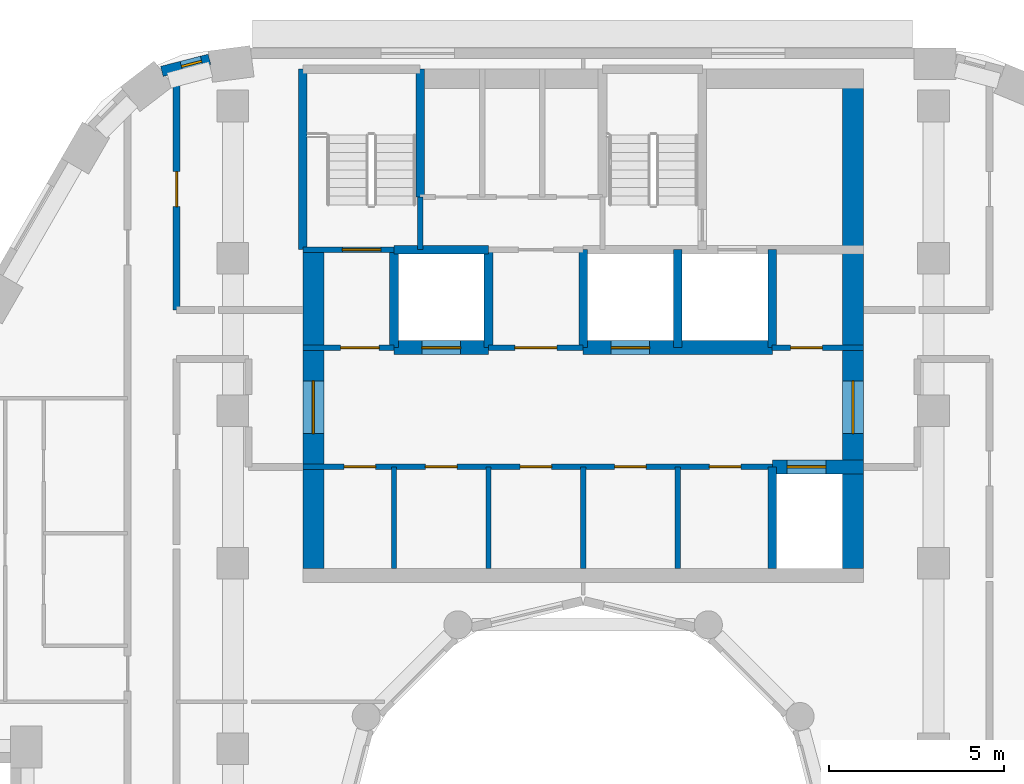
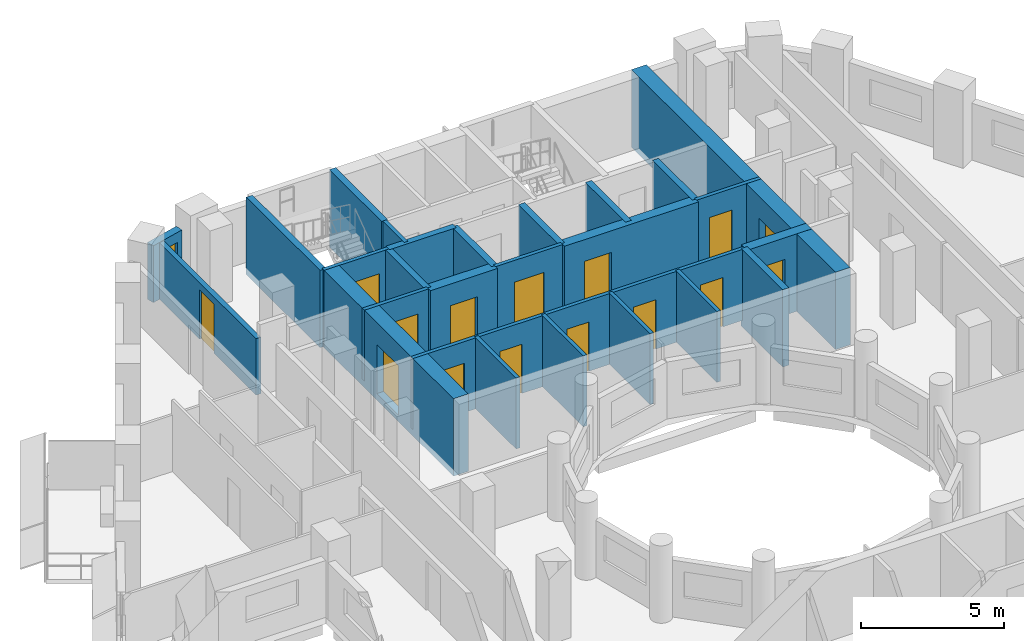
# One storey, part 8 of 17: 26 walls, 15 doors, 1 window, 16 openings.
"""IFC4 building model written with IfcOpenShell, lengths in metres."""

from ifc_helpers import new_model, si_unit, direction, frame, frame_2d, origin, place, context, subcontext, project, spatial, rectangle, extrude, material, layer, layer_set, type_object, element, fill, save


model = new_model("IFC4")

# Units and contexts
model_context = context("Model", 3, precision=1e-05, world=origin(), true_north=direction((0.0, 1.0)))
body_context = subcontext(model_context, "Body", "Model", "MODEL_VIEW")
ifc_project = project(units=[si_unit("LENGTHUNIT", "METRE"), si_unit("AREAUNIT", "SQUARE_METRE"), si_unit("VOLUMEUNIT", "CUBIC_METRE"), si_unit("PLANEANGLEUNIT", "RADIAN"), si_unit("MASSUNIT", "GRAM", prefix="KILO")], contexts=[model_context])

# Site, building, storey
site_placement = place(None, origin())
site = spatial("IfcSite", under=ifc_project, at=site_placement, CompositionType="ELEMENT")
building_placement = place(site_placement, origin())
building = spatial("IfcBuilding", under=site, at=building_placement, Name="Nakaniwa Court", CompositionType="ELEMENT")
storey_placement = place(building_placement, frame((0.0, 0.0, 203.10009765625)))
storey = spatial("IfcBuildingStorey", under=building, at=storey_placement, Name="L53", CompositionType="ELEMENT", Elevation=203.10009765625)

# Wall, opening, door
ifc_material_1 = material(Name="Acoustic double stud partition")
ifc_layer_1 = layer(ifc_material_1, 0.199951171875)
ifc_layer_set_1 = layer_set([ifc_layer_1], Name="Acoustic double stud partition")
wall_type_1 = type_object("IfcWallType", Name="Acoustic double stud partition 200", PredefinedType="PARTITIONING", material=ifc_layer_set_1)
wall_1_placement = place(storey_placement, frame((68.39990234375, 102.07373046875, 0.0), z_axis=(0.0, 0.0, 1.0), x_axis=(0.0, -1.0, 0.0)))
wall_1 = element("IfcWall", 1, at=wall_1_placement, inside=storey, type_object=wall_type_1, Name="Partition PW-106", PredefinedType="PARTITIONING", context=body_context, shape_type="SweptSolid", body=[
    extrude(rectangle(XDim=6.898681640625, YDim=0.199951171875, at=frame_2d((3.44921875, 0.0))), origin(), (0.0, 0.0, 1.0), 2.40478515625),
])
opening_1_placement = place(wall_1_placement, frame((2.948974609375, 0.0, 0.0)))
opening_1 = element("IfcOpeningElement", 2, at=opening_1_placement, cuts=wall_1, Name="Opening D-02-07", PredefinedType="OPENING", context=body_context, shape_type="SweptSolid", body=[
    extrude(rectangle(XDim=1.0, YDim=2.10009765625, at=frame_2d((0.5, 1.050048828125))), frame((0.0, 0.10986328125, 0.0), z_axis=(0.0, -1.0, 0.0), x_axis=(1.0, 0.0, 0.0)), (0.0, 0.0, 1.0), 0.219970703125),
])
ifc_material_2 = material(Name="Solid core timber door set, black veneer", Category="wood")
door_type_1 = type_object("IfcDoorType", Name="Internal door 1000", OperationType="NOTDEFINED", PredefinedType="DOOR", material=ifc_material_2)
door_1_placement = place(opening_1_placement, origin())
door_1 = element("IfcDoor", 3, at=door_1_placement, inside=storey, type_object=door_type_1, Name="Door D-02-07 L53-056", OperationType="SINGLE_SWING_LEFT", OverallHeight=2.10009765625, OverallWidth=1.0, PredefinedType="DOOR", context=body_context, shape_type="SweptSolid", body=[
    extrude(rectangle(XDim=1.0, YDim=2.10009765625, at=frame_2d((0.5, 1.050048828125))), frame((0.0, 0.02490234375, 0.0), z_axis=(0.0, -1.0, 0.0), x_axis=(1.0, 0.0, 0.0)), (0.0, 0.0, 1.0), 0.050048828125),
])
fill(opening_1, door_1)

# Wall, opening, window
ifc_material_3 = material(Name="Charcoal ceramic cladding")
ifc_layer_2 = layer(ifc_material_3, 0.02, Name="Ceramic cladding")
ifc_material_4 = material(Name="Ventilated air cavity")
ifc_layer_3 = layer(ifc_material_4, 0.04, ventilated=True, Name="Ventilated cavity")
ifc_material_5 = material(Name="Mineral wool insulation")
ifc_layer_4 = layer(ifc_material_5, 0.1, Name="Insulation")
ifc_material_6 = material(Name="Cement bonded sheathing board")
ifc_layer_5 = layer(ifc_material_6, 0.012, Name="Sheathing")
ifc_material_7 = material(Name="Cold-formed galvanised stud frame with mineral wool infill")
ifc_layer_6 = layer(ifc_material_7, 0.1, Name="Stud frame")
ifc_material_8 = material(Name="Fire-rated gypsum plasterboard lining")
ifc_layer_7 = layer(ifc_material_8, 0.028, Name="Lining")
ifc_layer_set_2 = layer_set([ifc_layer_2, ifc_layer_3, ifc_layer_4, ifc_layer_5, ifc_layer_6, ifc_layer_7], Name="Charcoal ceramic faced external wall system")
wall_type_2 = type_object("IfcWallType", Name="Black ceramic faced external wall 300", PredefinedType="SOLIDWALL", material=ifc_layer_set_2)
wall_2_placement = place(storey_placement, frame((69.3359375, 102.333251953125, 0.0), z_axis=(0.0, 0.0, 1.0), x_axis=(-0.969037396898, -0.246914000036, 0.0)))
wall_2 = element("IfcWall", 4, at=wall_2_placement, inside=storey, type_object=wall_type_2, Name="L53 external wall 09", PredefinedType="SOLIDWALL", context=body_context, shape_type="SweptSolid", body=[
    extrude(rectangle(XDim=1.403076171875, YDim=0.300048828125, at=frame_2d((0.70166015625, 0.0))), origin(), (0.0, 0.0, 1.0), 2.4248046875),
])
opening_2_placement = place(wall_2_placement, frame((0.22900390625, 0.0, 0.89990234375)))
opening_2 = element("IfcOpeningElement", 5, at=opening_2_placement, cuts=wall_2, Name="Opening W8.11", PredefinedType="OPENING", context=body_context, shape_type="SweptSolid", body=[
    extrude(rectangle(XDim=0.60009765625, YDim=1.10009765625, at=frame_2d((0.300048828125, 0.550048828125))), frame((0.0, 0.159912109375, 0.0), z_axis=(0.0, -1.0, 0.0), x_axis=(1.0, 0.0, 0.0)), (0.0, 0.0, 1.0), 0.320068359375),
])
ifc_material_9 = material(Name="Black anodised aluminium frame with dark low-E laminated double glazing", Category="aluminium")
window_type = type_object("IfcWindowType", Name="Dark glass window 600x1100 sill 900", PartitioningType="SINGLE_PANEL", PredefinedType="WINDOW", material=ifc_material_9)
window_placement = place(opening_2_placement, origin())
window = element("IfcWindow", 6, at=window_placement, inside=storey, type_object=window_type, Name="L53 habitable room window 09-0", OverallHeight=1.10009765625, OverallWidth=0.60009765625, PartitioningType="SINGLE_PANEL", PredefinedType="WINDOW", context=body_context, shape_type="SweptSolid", body=[
    extrude(rectangle(XDim=0.60009765625, YDim=1.10009765625, at=frame_2d((0.300048828125, 0.550048828125))), frame((0.0, 0.030029296875, 0.0), z_axis=(0.0, -1.0, 0.0), x_axis=(1.0, 0.0, 0.0)), (0.0, 0.0, 1.0), 0.06005859375),
])
fill(opening_2, window)

# Wall
ifc_material_10 = material(Name="Blockwork partition", Category="masonry")
ifc_layer_8 = layer(ifc_material_10, 0.14990234375)
ifc_layer_set_3 = layer_set([ifc_layer_8], Name="Blockwork partition")
wall_type_3 = type_object("IfcWallType", Name="Blockwork partition 150", PredefinedType="PARTITIONING", material=ifc_layer_set_3)
wall_3_placement = place(storey_placement, frame((74.60009765625, 87.800048828125, 0.0), z_axis=(0.0, 0.0, 1.0), x_axis=(0.0, 1.0, 0.0)))
element("IfcWall", 7, at=wall_3_placement, inside=storey, type_object=wall_type_3, Name="Partition PW-001", PredefinedType="PARTITIONING", context=body_context, shape_type="SweptSolid", body=[
    extrude(rectangle(XDim=2.89990234375, YDim=0.14990234375, at=frame_2d((1.449951171875, 0.0))), origin(), (0.0, 0.0, 1.0), 3.02490234375),
])

# Wall, openings, doors
wall_4_placement = place(storey_placement, frame((85.39990234375, 90.699951171875, 0.0), z_axis=(0.0, 0.0, 1.0), x_axis=(-1.0, 0.0, 0.0)))
wall_4 = element("IfcWall", 8, at=wall_4_placement, inside=storey, type_object=wall_type_3, Name="Partition PW-002", PredefinedType="PARTITIONING", context=body_context, shape_type="SweptSolid", body=[
    extrude(rectangle(XDim=13.39990234375, YDim=0.14990234375, at=frame_2d((6.699951171875, 0.0))), origin(), (0.0, 0.0, 1.0), 3.02490234375),
])
opening_3_placement = place(wall_4_placement, frame((11.324951171875, 0.0, 0.0)))
opening_3 = element("IfcOpeningElement", 9, at=opening_3_placement, cuts=wall_4, Name="Opening D-05-01", PredefinedType="OPENING", context=body_context, shape_type="SweptSolid", body=[
    extrude(rectangle(XDim=0.89990234375, YDim=2.10009765625, at=frame_2d((0.449951171875, 1.050048828125))), frame((0.0, 0.0849609375, 0.0), z_axis=(0.0, -1.0, 0.0), x_axis=(1.0, 0.0, 0.0)), (0.0, 0.0, 1.0), 0.169921875),
])
opening_4_placement = place(wall_4_placement, frame((9.0, 0.0, 0.0)))
opening_4 = element("IfcOpeningElement", 10, at=opening_4_placement, cuts=wall_4, Name="Opening D-05-02", PredefinedType="OPENING", context=body_context, shape_type="SweptSolid", body=[
    extrude(rectangle(XDim=0.89990234375, YDim=2.10009765625, at=frame_2d((0.449951171875, 1.050048828125))), frame((0.0, 0.0849609375, 0.0), z_axis=(0.0, -1.0, 0.0), x_axis=(1.0, 0.0, 0.0)), (0.0, 0.0, 1.0), 0.169921875),
])
opening_5_placement = place(wall_4_placement, frame((6.300048828125, 0.0, 0.0)))
opening_5 = element("IfcOpeningElement", 11, at=opening_5_placement, cuts=wall_4, Name="Opening D-05-03", PredefinedType="OPENING", context=body_context, shape_type="SweptSolid", body=[
    extrude(rectangle(XDim=0.89990234375, YDim=2.10009765625, at=frame_2d((0.449951171875, 1.050048828125))), frame((0.0, 0.0849609375, 0.0), z_axis=(0.0, -1.0, 0.0), x_axis=(1.0, 0.0, 0.0)), (0.0, 0.0, 1.0), 0.169921875),
])
opening_6_placement = place(wall_4_placement, frame((3.60009765625, 0.0, 0.0)))
opening_6 = element("IfcOpeningElement", 12, at=opening_6_placement, cuts=wall_4, Name="Opening D-05-04", PredefinedType="OPENING", context=body_context, shape_type="SweptSolid", body=[
    extrude(rectangle(XDim=0.89990234375, YDim=2.10009765625, at=frame_2d((0.449951171875, 1.050048828125))), frame((0.0, 0.0849609375, 0.0), z_axis=(0.0, -1.0, 0.0), x_axis=(1.0, 0.0, 0.0)), (0.0, 0.0, 1.0), 0.169921875),
])
opening_7_placement = place(wall_4_placement, frame((0.89990234375, 0.0, 0.0)))
opening_7 = element("IfcOpeningElement", 13, at=opening_7_placement, cuts=wall_4, Name="Opening D-05-05", PredefinedType="OPENING", context=body_context, shape_type="SweptSolid", body=[
    extrude(rectangle(XDim=0.89990234375, YDim=2.10009765625, at=frame_2d((0.449951171875, 1.050048828125))), frame((0.0, 0.0849609375, 0.0), z_axis=(0.0, -1.0, 0.0), x_axis=(1.0, 0.0, 0.0)), (0.0, 0.0, 1.0), 0.169921875),
])
ifc_material_11 = material(Name="Fire rated steel door set", Category="steel")
door_type_2 = type_object("IfcDoorType", Name="Service room door 900", OperationType="NOTDEFINED", PredefinedType="DOOR", material=ifc_material_11)
door_2_placement = place(opening_3_placement, origin())
door_2 = element("IfcDoor", 14, at=door_2_placement, inside=storey, type_object=door_type_2, Name="Door D-05-01 L53-001", OperationType="SINGLE_SWING_RIGHT", OverallHeight=2.10009765625, OverallWidth=0.89990234375, PredefinedType="DOOR", context=body_context, shape_type="SweptSolid", body=[
    extrude(rectangle(XDim=0.89990234375, YDim=2.10009765625, at=frame_2d((0.449951171875, 1.050048828125))), frame((0.0, 0.02490234375, 0.0), z_axis=(0.0, -1.0, 0.0), x_axis=(1.0, 0.0, 0.0)), (0.0, 0.0, 1.0), 0.050048828125),
])
fill(opening_3, door_2)
door_3_placement = place(opening_4_placement, origin())
door_3 = element("IfcDoor", 15, at=door_3_placement, inside=storey, type_object=door_type_2, Name="Door D-05-02 L53-002", OperationType="SINGLE_SWING_LEFT", OverallHeight=2.10009765625, OverallWidth=0.89990234375, PredefinedType="DOOR", context=body_context, shape_type="SweptSolid", body=[
    extrude(rectangle(XDim=0.89990234375, YDim=2.10009765625, at=frame_2d((0.449951171875, 1.050048828125))), frame((0.0, 0.02490234375, 0.0), z_axis=(0.0, -1.0, 0.0), x_axis=(1.0, 0.0, 0.0)), (0.0, 0.0, 1.0), 0.050048828125),
])
fill(opening_4, door_3)
door_4_placement = place(opening_5_placement, origin())
door_4 = element("IfcDoor", 16, at=door_4_placement, inside=storey, type_object=door_type_2, Name="Door D-05-03 L53-003", OperationType="SINGLE_SWING_RIGHT", OverallHeight=2.10009765625, OverallWidth=0.89990234375, PredefinedType="DOOR", context=body_context, shape_type="SweptSolid", body=[
    extrude(rectangle(XDim=0.89990234375, YDim=2.10009765625, at=frame_2d((0.449951171875, 1.050048828125))), frame((0.0, 0.02490234375, 0.0), z_axis=(0.0, -1.0, 0.0), x_axis=(1.0, 0.0, 0.0)), (0.0, 0.0, 1.0), 0.050048828125),
])
fill(opening_5, door_4)
door_5_placement = place(opening_6_placement, origin())
door_5 = element("IfcDoor", 17, at=door_5_placement, inside=storey, type_object=door_type_2, Name="Door D-05-04 L53-004", OperationType="SINGLE_SWING_LEFT", OverallHeight=2.10009765625, OverallWidth=0.89990234375, PredefinedType="DOOR", context=body_context, shape_type="SweptSolid", body=[
    extrude(rectangle(XDim=0.89990234375, YDim=2.10009765625, at=frame_2d((0.449951171875, 1.050048828125))), frame((0.0, 0.02490234375, 0.0), z_axis=(0.0, -1.0, 0.0), x_axis=(1.0, 0.0, 0.0)), (0.0, 0.0, 1.0), 0.050048828125),
])
fill(opening_6, door_5)
door_6_placement = place(opening_7_placement, origin())
door_6 = element("IfcDoor", 18, at=door_6_placement, inside=storey, type_object=door_type_2, Name="Door D-05-05 L53-005", OperationType="SINGLE_SWING_RIGHT", OverallHeight=2.10009765625, OverallWidth=0.89990234375, PredefinedType="DOOR", context=body_context, shape_type="SweptSolid", body=[
    extrude(rectangle(XDim=0.89990234375, YDim=2.10009765625, at=frame_2d((0.449951171875, 1.050048828125))), frame((0.0, 0.02490234375, 0.0), z_axis=(0.0, -1.0, 0.0), x_axis=(1.0, 0.0, 0.0)), (0.0, 0.0, 1.0), 0.050048828125),
])
fill(opening_7, door_6)

# Walls
for number, where, z_axis, x_axis, name in (
    (19, (77.300048828125, 87.800048828125, 0.0), (0.0, 0.0, 1.0), (0.0, 1.0, 0.0), "Partition PW-008"),
    (20, (80.0, 87.800048828125, 0.0), (0.0, 0.0, 1.0), (0.0, 1.0, 0.0), "Partition PW-009"),
    (21, (82.699951171875, 87.800048828125, 0.0), (0.0, 0.0, 1.0), (0.0, 1.0, 0.0), "Partition PW-010"),
):
    element("IfcWall", number, at=place(storey_placement, frame(where, z_axis=z_axis, x_axis=x_axis)), inside=storey, type_object=wall_type_3, Name=name, PredefinedType="PARTITIONING", context=body_context, shape_type="SweptSolid", body=[
        extrude(rectangle(XDim=2.89990234375, YDim=0.14990234375, at=frame_2d((1.449951171875, 0.0))), origin(), (0.0, 0.0, 1.0), 3.02490234375),
    ])

# Wall, opening, door
wall_5_placement = place(storey_placement, frame((72.0, 94.10009765625, 0.0), z_axis=(0.0, 0.0, 1.0), x_axis=(1.0, 0.0, 0.0)))
wall_5 = element("IfcWall", 22, at=wall_5_placement, inside=storey, type_object=wall_type_3, Name="Partition PW-011", PredefinedType="PARTITIONING", context=body_context, shape_type="SweptSolid", body=[
    extrude(rectangle(XDim=2.60302734375, YDim=0.14990234375, at=frame_2d((1.301513671875, 0.0))), origin(), (0.0, 0.0, 1.0), 3.02490234375),
])
opening_8_placement = place(wall_5_placement, frame((1.074951171875, 0.0, 0.0)))
opening_8 = element("IfcOpeningElement", 23, at=opening_8_placement, cuts=wall_5, Name="Opening D-08-01", PredefinedType="OPENING", context=body_context, shape_type="SweptSolid", body=[
    extrude(rectangle(XDim=1.10009765625, YDim=2.10009765625, at=frame_2d((0.550048828125, 1.050048828125))), frame((0.0, 0.0849609375, 0.0), z_axis=(0.0, -1.0, 0.0), x_axis=(1.0, 0.0, 0.0)), (0.0, 0.0, 1.0), 0.169921875),
])
door_type_3 = type_object("IfcDoorType", Name="Stair lobby door 1100", OperationType="NOTDEFINED", PredefinedType="DOOR", material=ifc_material_11)
door_7_placement = place(opening_8_placement, origin())
door_7 = element("IfcDoor", 24, at=door_7_placement, inside=storey, type_object=door_type_3, Name="Door D-08-01 L53-006", OperationType="SINGLE_SWING_LEFT", OverallHeight=2.10009765625, OverallWidth=1.10009765625, PredefinedType="DOOR", context=body_context, shape_type="SweptSolid", body=[
    extrude(rectangle(XDim=1.10009765625, YDim=2.10009765625, at=frame_2d((0.550048828125, 1.050048828125))), frame((0.0, 0.02490234375, 0.0), z_axis=(0.0, -1.0, 0.0), x_axis=(1.0, 0.0, 0.0)), (0.0, 0.0, 1.0), 0.050048828125),
])
fill(opening_8, door_7)

wall_6_placement = place(storey_placement, frame((77.297119140625, 94.10009765625, 0.0), z_axis=(0.0, 0.0, 1.0), x_axis=(1.0, 0.0, 0.0)))
wall_6 = element("IfcWall", 25, at=wall_6_placement, inside=storey, type_object=wall_type_3, Name="Partition PW-012", PredefinedType="PARTITIONING", context=body_context, shape_type="SweptSolid", body=[
    extrude(rectangle(XDim=2.705810546875, YDim=0.14990234375, at=frame_2d((1.35302734375, 0.0))), origin(), (0.0, 0.0, 1.0), 3.02490234375),
])
opening_9_placement = place(wall_6_placement, frame((0.7529296875, 0.0, 0.0)))
opening_9 = element("IfcOpeningElement", 26, at=opening_9_placement, cuts=wall_6, Name="Opening D-06-01", PredefinedType="OPENING", context=body_context, shape_type="SweptSolid", body=[
    extrude(rectangle(XDim=1.199951171875, YDim=2.10009765625, at=frame_2d((0.60009765625, 1.050048828125))), frame((0.0, 0.0849609375, 0.0), z_axis=(0.0, -1.0, 0.0), x_axis=(1.0, 0.0, 0.0)), (0.0, 0.0, 1.0), 0.169921875),
])
ifc_material_12 = material(Name="Fire rated steel double door set", Category="steel")
door_type_4 = type_object("IfcDoorType", Name="Service passage double door 1200", OperationType="NOTDEFINED", PredefinedType="DOOR", material=ifc_material_12)
door_8_placement = place(opening_9_placement, origin())
door_8 = element("IfcDoor", 27, at=door_8_placement, inside=storey, type_object=door_type_4, Name="Door D-06-01 L53-007", OperationType="DOUBLE_DOOR_SINGLE_SWING", OverallHeight=2.10009765625, OverallWidth=1.199951171875, PredefinedType="DOOR", context=body_context, shape_type="SweptSolid", body=[
    extrude(rectangle(XDim=1.199951171875, YDim=2.10009765625, at=frame_2d((0.60009765625, 1.050048828125))), frame((0.0, 0.02490234375, 0.0), z_axis=(0.0, -1.0, 0.0), x_axis=(1.0, 0.0, 0.0)), (0.0, 0.0, 1.0), 0.050048828125),
])
fill(opening_9, door_8)

wall_7_placement = place(storey_placement, frame((85.39697265625, 94.10009765625, 0.0), z_axis=(0.0, 0.0, 1.0), x_axis=(1.0, 0.0, 0.0)))
wall_7 = element("IfcWall", 28, at=wall_7_placement, inside=storey, type_object=wall_type_3, Name="Partition PW-013", PredefinedType="PARTITIONING", context=body_context, shape_type="SweptSolid", body=[
    extrude(rectangle(XDim=2.60302734375, YDim=0.14990234375, at=frame_2d((1.301513671875, 0.0))), origin(), (0.0, 0.0, 1.0), 3.02490234375),
])
opening_10_placement = place(wall_7_placement, frame((0.528076171875, 0.0, 0.0)))
opening_10 = element("IfcOpeningElement", 29, at=opening_10_placement, cuts=wall_7, Name="Opening D-05-06", PredefinedType="OPENING", context=body_context, shape_type="SweptSolid", body=[
    extrude(rectangle(XDim=0.89990234375, YDim=2.10009765625, at=frame_2d((0.449951171875, 1.050048828125))), frame((0.0, 0.0849609375, 0.0), z_axis=(0.0, -1.0, 0.0), x_axis=(1.0, 0.0, 0.0)), (0.0, 0.0, 1.0), 0.169921875),
])
door_9_placement = place(opening_10_placement, origin())
door_9 = element("IfcDoor", 30, at=door_9_placement, inside=storey, type_object=door_type_2, Name="Door D-05-06 L53-008", OperationType="SINGLE_SWING_LEFT", OverallHeight=2.10009765625, OverallWidth=0.89990234375, PredefinedType="DOOR", context=body_context, shape_type="SweptSolid", body=[
    extrude(rectangle(XDim=0.89990234375, YDim=2.10009765625, at=frame_2d((0.449951171875, 1.050048828125))), frame((0.0, 0.02490234375, 0.0), z_axis=(0.0, -1.0, 0.0), x_axis=(1.0, 0.0, 0.0)), (0.0, 0.0, 1.0), 0.050048828125),
])
fill(opening_10, door_9)

ifc_material_13 = material(Name="Concrete C80/100", Category="concrete")
ifc_layer_9 = layer(ifc_material_13, 0.60009765625)
ifc_layer_set_4 = layer_set([ifc_layer_9], Name="Concrete C80/100")
wall_type_4 = type_object("IfcWallType", Name="Concrete core side wall 600 C80", PredefinedType="SHEAR", material=ifc_layer_set_4)
wall_8_placement = place(storey_placement, frame((72.300048828125, 87.800048828125, -0.275146484375), z_axis=(0.0, 0.0, 1.0), x_axis=(0.0, 1.0, 0.0)))
wall_8 = element("IfcWall", 31, at=wall_8_placement, inside=storey, type_object=wall_type_4, Name="Core wall SW-03", PredefinedType="SHEAR", context=body_context, shape_type="SweptSolid", body=[
    extrude(rectangle(XDim=9.099853515625, YDim=0.60009765625, at=frame_2d((4.5498046875, 0.0))), origin(), (0.0, 0.0, 1.0), 3.300048828125),
])
opening_11_placement = place(wall_8_placement, frame((3.85205078125, 0.0, 0.27490234375)))
opening_11 = element("IfcOpeningElement", 32, at=opening_11_placement, cuts=wall_8, Name="Opening D-07-02", PredefinedType="OPENING", context=body_context, shape_type="SweptSolid", body=[
    extrude(rectangle(XDim=1.5, YDim=2.10009765625, at=frame_2d((0.75, 1.050048828125))), frame((0.0, 0.31005859375, 0.0), z_axis=(0.0, -1.0, 0.0), x_axis=(1.0, 0.0, 0.0)), (0.0, 0.0, 1.0), 0.6201171875),
])
ifc_material_14 = material(Name="Glazed fire rated steel double door set", Category="steel")
door_type_5 = type_object("IfcDoorType", Name="Lobby double door 1500", OperationType="NOTDEFINED", PredefinedType="DOOR", material=ifc_material_14)
door_10_placement = place(opening_11_placement, origin())
door_10 = element("IfcDoor", 33, at=door_10_placement, inside=storey, type_object=door_type_5, Name="Door D-07-02 L53-062", OperationType="DOUBLE_DOOR_SINGLE_SWING", OverallHeight=2.10009765625, OverallWidth=1.5, PredefinedType="DOOR", context=body_context, shape_type="SweptSolid", body=[
    extrude(rectangle(XDim=1.5, YDim=2.10009765625, at=frame_2d((0.75, 1.050048828125))), frame((0.0, 0.02490234375, 0.0), z_axis=(0.0, -1.0, 0.0), x_axis=(1.0, 0.0, 0.0)), (0.0, 0.0, 1.0), 0.050048828125),
])
fill(opening_11, door_10)

wall_9_placement = place(storey_placement, frame((87.699951171875, 102.050048828125, -0.275146484375), z_axis=(0.0, 0.0, 1.0), x_axis=(0.0, -1.0, 0.0)))
wall_9 = element("IfcWall", 34, at=wall_9_placement, inside=storey, type_object=wall_type_4, Name="Core wall SW-07", PredefinedType="SHEAR", context=body_context, shape_type="SweptSolid", body=[
    extrude(rectangle(XDim=14.25, YDim=0.60009765625, at=frame_2d((7.125, 0.0))), origin(), (0.0, 0.0, 1.0), 3.300048828125),
])
opening_12_placement = place(wall_9_placement, frame((8.89794921875, 0.0, 0.27490234375)))
opening_12 = element("IfcOpeningElement", 35, at=opening_12_placement, cuts=wall_9, Name="Opening D-07-01", PredefinedType="OPENING", context=body_context, shape_type="SweptSolid", body=[
    extrude(rectangle(XDim=1.5, YDim=2.10009765625, at=frame_2d((0.75, 1.050048828125))), frame((0.0, 0.31005859375, 0.0), z_axis=(0.0, -1.0, 0.0), x_axis=(1.0, 0.0, 0.0)), (0.0, 0.0, 1.0), 0.6201171875),
])
door_11_placement = place(opening_12_placement, origin())
door_11 = element("IfcDoor", 36, at=door_11_placement, inside=storey, type_object=door_type_5, Name="Door D-07-01 L53-061", OperationType="DOUBLE_DOOR_SINGLE_SWING", OverallHeight=2.10009765625, OverallWidth=1.5, PredefinedType="DOOR", context=body_context, shape_type="SweptSolid", body=[
    extrude(rectangle(XDim=1.5, YDim=2.10009765625, at=frame_2d((0.75, 1.050048828125))), frame((0.0, 0.02490234375, 0.0), z_axis=(0.0, -1.0, 0.0), x_axis=(1.0, 0.0, 0.0)), (0.0, 0.0, 1.0), 0.050048828125),
])
fill(opening_12, door_11)

ifc_layer_10 = layer(ifc_material_13, 0.39990234375)
ifc_layer_set_5 = layer_set([ifc_layer_10], Name="Concrete C80/100")
wall_type_5 = type_object("IfcWallType", Name="Concrete core spine wall 400 C80", PredefinedType="SHEAR", material=ifc_layer_set_5)
wall_10_placement = place(storey_placement, frame((85.39990234375, 90.699951171875, -0.275146484375), z_axis=(0.0, 0.0, 1.0), x_axis=(1.0, 0.0, 0.0)))
wall_10 = element("IfcWall", 37, at=wall_10_placement, inside=storey, type_object=wall_type_5, Name="Core wall SW-06", PredefinedType="SHEAR", context=body_context, shape_type="SweptSolid", body=[
    extrude(rectangle(XDim=2.60009765625, YDim=0.39990234375, at=frame_2d((1.300048828125, 0.0))), origin(), (0.0, 0.0, 1.0), 3.300048828125),
])
opening_13_placement = place(wall_10_placement, frame((0.425048828125, 0.0, 0.27490234375)))
opening_13 = element("IfcOpeningElement", 38, at=opening_13_placement, cuts=wall_10, Name="Opening LD01", PredefinedType="OPENING", context=body_context, shape_type="SweptSolid", body=[
    extrude(rectangle(XDim=1.10009765625, YDim=2.10009765625, at=frame_2d((0.550048828125, 1.050048828125))), frame((0.0, 0.2099609375, 0.0), z_axis=(0.0, -1.0, 0.0), x_axis=(1.0, 0.0, 0.0)), (0.0, 0.0, 1.0), 0.419921875),
])
ifc_material_15 = material(Name="Stainless steel sliding lift landing door", Category="steel")
door_type_6 = type_object("IfcDoorType", Name="Lift landing door 1100", OperationType="NOTDEFINED", PredefinedType="DOOR", material=ifc_material_15)
door_12_placement = place(opening_13_placement, origin())
door_12 = element("IfcDoor", 39, at=door_12_placement, inside=storey, type_object=door_type_6, Name="Lift landing door LD01 L53-001", OperationType="SLIDING_TO_LEFT", OverallHeight=2.10009765625, OverallWidth=1.10009765625, PredefinedType="DOOR", context=body_context, shape_type="SweptSolid", body=[
    extrude(rectangle(XDim=1.10009765625, YDim=2.10009765625, at=frame_2d((0.550048828125, 1.050048828125))), frame((0.0, 0.02490234375, 0.0), z_axis=(0.0, -1.0, 0.0), x_axis=(1.0, 0.0, 0.0)), (0.0, 0.0, 1.0), 0.050048828125),
])
fill(opening_13, door_12)

wall_11_placement = place(storey_placement, frame((74.596923828125, 94.10009765625, -0.275146484375), z_axis=(0.0, 0.0, 1.0), x_axis=(1.0, 0.0, 0.0)))
wall_11 = element("IfcWall", 40, at=wall_11_placement, inside=storey, type_object=wall_type_5, Name="Core wall SW-14", PredefinedType="SHEAR", context=body_context, shape_type="SweptSolid", body=[
    extrude(rectangle(XDim=2.7060546875, YDim=0.39990234375, at=frame_2d((1.35302734375, 0.0))), origin(), (0.0, 0.0, 1.0), 3.300048828125),
])
opening_14_placement = place(wall_11_placement, frame((0.802978515625, 0.0, 0.27490234375)))
opening_14 = element("IfcOpeningElement", 41, at=opening_14_placement, cuts=wall_11, Name="Opening LD02", PredefinedType="OPENING", context=body_context, shape_type="SweptSolid", body=[
    extrude(rectangle(XDim=1.10009765625, YDim=2.10009765625, at=frame_2d((0.550048828125, 1.050048828125))), frame((0.0, 0.2099609375, 0.0), z_axis=(0.0, -1.0, 0.0), x_axis=(1.0, 0.0, 0.0)), (0.0, 0.0, 1.0), 0.419921875),
])
door_13_placement = place(opening_14_placement, origin())
door_13 = element("IfcDoor", 42, at=door_13_placement, inside=storey, type_object=door_type_6, Name="Lift landing door LD02 L53-002", OperationType="SLIDING_TO_LEFT", OverallHeight=2.10009765625, OverallWidth=1.10009765625, PredefinedType="DOOR", context=body_context, shape_type="SweptSolid", body=[
    extrude(rectangle(XDim=1.10009765625, YDim=2.10009765625, at=frame_2d((0.550048828125, 1.050048828125))), frame((0.0, 0.02490234375, 0.0), z_axis=(0.0, -1.0, 0.0), x_axis=(1.0, 0.0, 0.0)), (0.0, 0.0, 1.0), 0.050048828125),
])
fill(opening_14, door_13)

wall_12_placement = place(storey_placement, frame((79.9970703125, 94.10009765625, -0.275146484375), z_axis=(0.0, 0.0, 1.0), x_axis=(1.0, 0.0, 0.0)))
wall_12 = element("IfcWall", 43, at=wall_12_placement, inside=storey, type_object=wall_type_5, Name="Core wall SW-15", PredefinedType="SHEAR", context=body_context, shape_type="SweptSolid", body=[
    extrude(rectangle(XDim=5.406005859375, YDim=0.39990234375, at=frame_2d((2.703125, 0.0))), origin(), (0.0, 0.0, 1.0), 3.300048828125),
])
opening_15_placement = place(wall_12_placement, frame((0.802978515625, 0.0, 0.27490234375)))
opening_15 = element("IfcOpeningElement", 44, at=opening_15_placement, cuts=wall_12, Name="Opening LD03", PredefinedType="OPENING", context=body_context, shape_type="SweptSolid", body=[
    extrude(rectangle(XDim=1.10009765625, YDim=2.10009765625, at=frame_2d((0.550048828125, 1.050048828125))), frame((0.0, 0.2099609375, 0.0), z_axis=(0.0, -1.0, 0.0), x_axis=(1.0, 0.0, 0.0)), (0.0, 0.0, 1.0), 0.419921875),
])
door_14_placement = place(opening_15_placement, origin())
door_14 = element("IfcDoor", 45, at=door_14_placement, inside=storey, type_object=door_type_6, Name="Lift landing door LD03 L53-003", OperationType="SLIDING_TO_LEFT", OverallHeight=2.10009765625, OverallWidth=1.10009765625, PredefinedType="DOOR", context=body_context, shape_type="SweptSolid", body=[
    extrude(rectangle(XDim=1.10009765625, YDim=2.10009765625, at=frame_2d((0.550048828125, 1.050048828125))), frame((0.0, 0.02490234375, 0.0), z_axis=(0.0, -1.0, 0.0), x_axis=(1.0, 0.0, 0.0)), (0.0, 0.0, 1.0), 0.050048828125),
])
fill(opening_15, door_14)

ifc_layer_11 = layer(ifc_material_13, 0.14990234375)
ifc_layer_set_6 = layer_set([ifc_layer_11], Name="Concrete C80/100")
wall_type_6 = type_object("IfcWallType", Name="Concrete core wall 150 C80", PredefinedType="SHEAR", material=ifc_layer_set_6)
wall_13_placement = place(storey_placement, frame((74.60009765625, 96.89990234375, -0.275146484375), z_axis=(0.0, 0.0, 1.0), x_axis=(-1.0, 0.0, 0.0)))
wall_13 = element("IfcWall", 46, at=wall_13_placement, inside=storey, type_object=wall_type_6, Name="Core wall SW-17", PredefinedType="SHEAR", context=body_context, shape_type="SweptSolid", body=[
    extrude(rectangle(XDim=2.60009765625, YDim=0.14990234375, at=frame_2d((1.300048828125, 0.0))), origin(), (0.0, 0.0, 1.0), 3.300048828125),
])
opening_16_placement = place(wall_13_placement, frame((0.3701171875, 0.0, 0.27490234375)))
opening_16 = element("IfcOpeningElement", 47, at=opening_16_placement, cuts=wall_13, Name="Opening D-09-01", PredefinedType="OPENING", context=body_context, shape_type="SweptSolid", body=[
    extrude(rectangle(XDim=1.10009765625, YDim=2.10009765625, at=frame_2d((0.550048828125, 1.050048828125))), frame((0.0, 0.0849609375, 0.0), z_axis=(0.0, -1.0, 0.0), x_axis=(1.0, 0.0, 0.0)), (0.0, 0.0, 1.0), 0.169921875),
])
door_type_7 = type_object("IfcDoorType", Name="Stair door 1100", OperationType="NOTDEFINED", PredefinedType="DOOR", material=ifc_material_11)
door_15_placement = place(opening_16_placement, origin())
door_15 = element("IfcDoor", 48, at=door_15_placement, inside=storey, type_object=door_type_7, Name="Door D-09-01 L53-013", OperationType="SINGLE_SWING_LEFT", OverallHeight=2.10009765625, OverallWidth=1.10009765625, PredefinedType="DOOR", context=body_context, shape_type="SweptSolid", body=[
    extrude(rectangle(XDim=1.10009765625, YDim=2.10009765625, at=frame_2d((0.550048828125, 1.050048828125))), frame((0.0, 0.02490234375, 0.0), z_axis=(0.0, -1.0, 0.0), x_axis=(1.0, 0.0, 0.0)), (0.0, 0.0, 1.0), 0.050048828125),
])
fill(opening_16, door_15)

# Walls
wall_14_placement = place(storey_placement, frame((75.35009765625, 96.89990234375, -0.275146484375), z_axis=(0.0, 0.0, 1.0), x_axis=(0.0, 1.0, 0.0)))
element("IfcWall", 49, at=wall_14_placement, inside=storey, type_object=wall_type_6, Name="Core wall SW-24", PredefinedType="SHEAR", context=body_context, shape_type="SweptSolid", body=[
    extrude(rectangle(XDim=1.503173828125, YDim=0.14990234375, at=frame_2d((0.75146484375, 0.0))), origin(), (0.0, 0.0, 1.0), 3.300048828125),
])
ifc_layer_12 = layer(ifc_material_13, 0.25)
ifc_layer_set_7 = layer_set([ifc_layer_12], Name="Concrete C80/100")
wall_type_7 = type_object("IfcWallType", Name="Concrete core wall 250 C80", PredefinedType="SHEAR", material=ifc_layer_set_7)
wall_15_placement = place(storey_placement, frame((72.0, 96.89990234375, -0.275146484375), z_axis=(0.0, 0.0, 1.0), x_axis=(0.0, 1.0, 0.0)))
element("IfcWall", 50, at=wall_15_placement, inside=storey, type_object=wall_type_7, Name="Core wall SW-28", PredefinedType="SHEAR", context=body_context, shape_type="SweptSolid", body=[
    extrude(rectangle(XDim=5.150146484375, YDim=0.25, at=frame_2d((2.5751953125, 0.0))), origin(), (0.0, 0.0, 1.0), 3.300048828125),
])
ifc_layer_13 = layer(ifc_material_13, 0.25)
ifc_layer_set_8 = layer_set([ifc_layer_13], Name="Concrete C80/100")
wall_type_8 = type_object("IfcWallType", Name="Concrete shaft wall 250 C80", PredefinedType="SHEAR", material=ifc_layer_set_8)
wall_16_placement = place(storey_placement, frame((85.39990234375, 87.800048828125, -0.275146484375), z_axis=(0.0, 0.0, 1.0), x_axis=(0.0, 1.0, 0.0)))
element("IfcWall", 51, at=wall_16_placement, inside=storey, type_object=wall_type_8, Name="Core wall SW-04", PredefinedType="SHEAR", context=body_context, shape_type="SweptSolid", body=[
    extrude(rectangle(XDim=2.89990234375, YDim=0.25, at=frame_2d((1.449951171875, 0.0))), origin(), (0.0, 0.0, 1.0), 3.300048828125),
])
for number, where, z_axis, x_axis, name in (
    (52, (85.39990234375, 94.10009765625, -0.275146484375), (0.0, 0.0, 1.0), (0.0, 1.0, 0.0), "Core wall SW-05"),
    (53, (74.60009765625, 94.10009765625, -0.275146484375), (0.0, 0.0, 1.0), (0.0, 1.0, 0.0), "Core wall SW-16"),
    (54, (77.300048828125, 94.10009765625, -0.275146484375), (0.0, 0.0, 1.0), (0.0, 1.0, 0.0), "Core wall SW-18"),
):
    element("IfcWall", number, at=place(storey_placement, frame(where, z_axis=z_axis, x_axis=x_axis)), inside=storey, type_object=wall_type_8, Name=name, PredefinedType="SHEAR", context=body_context, shape_type="SweptSolid", body=[
        extrude(rectangle(XDim=2.7998046875, YDim=0.25, at=frame_2d((1.39990234375, 0.0))), origin(), (0.0, 0.0, 1.0), 3.300048828125),
    ])
wall_17_placement = place(storey_placement, frame((74.60009765625, 96.89990234375, -0.275146484375), z_axis=(0.0, 0.0, 1.0), x_axis=(1.0, 0.0, 0.0)))
element("IfcWall", 55, at=wall_17_placement, inside=storey, type_object=wall_type_8, Name="Core wall SW-19", PredefinedType="SHEAR", context=body_context, shape_type="SweptSolid", body=[
    extrude(rectangle(XDim=2.699951171875, YDim=0.25, at=frame_2d((1.35009765625, 0.0))), origin(), (0.0, 0.0, 1.0), 3.300048828125),
])
for number, where, z_axis, x_axis, name in (
    (56, (80.0, 94.10009765625, -0.275146484375), (0.0, 0.0, 1.0), (0.0, 1.0, 0.0), "Core wall SW-21"),
    (57, (82.699951171875, 94.10009765625, -0.275146484375), (0.0, 0.0, 1.0), (0.0, 1.0, 0.0), "Core wall SW-23"),
):
    element("IfcWall", number, at=place(storey_placement, frame(where, z_axis=z_axis, x_axis=x_axis)), inside=storey, type_object=wall_type_8, Name=name, PredefinedType="SHEAR", context=body_context, shape_type="SweptSolid", body=[
        extrude(rectangle(XDim=2.7998046875, YDim=0.25, at=frame_2d((1.39990234375, 0.0))), origin(), (0.0, 0.0, 1.0), 3.300048828125),
    ])
wall_18_placement = place(storey_placement, frame((75.35009765625, 98.39697265625, -0.275146484375), z_axis=(0.0, 0.0, 1.0), x_axis=(0.0, 1.0, 0.0)))
element("IfcWall", 58, at=wall_18_placement, inside=storey, type_object=wall_type_8, Name="Core wall SW-25", PredefinedType="SHEAR", context=body_context, shape_type="SweptSolid", body=[
    extrude(rectangle(XDim=3.653076171875, YDim=0.25, at=frame_2d((1.82666015625, 0.0))), origin(), (0.0, 0.0, 1.0), 3.300048828125),
])

save(model, "model.ifc")
